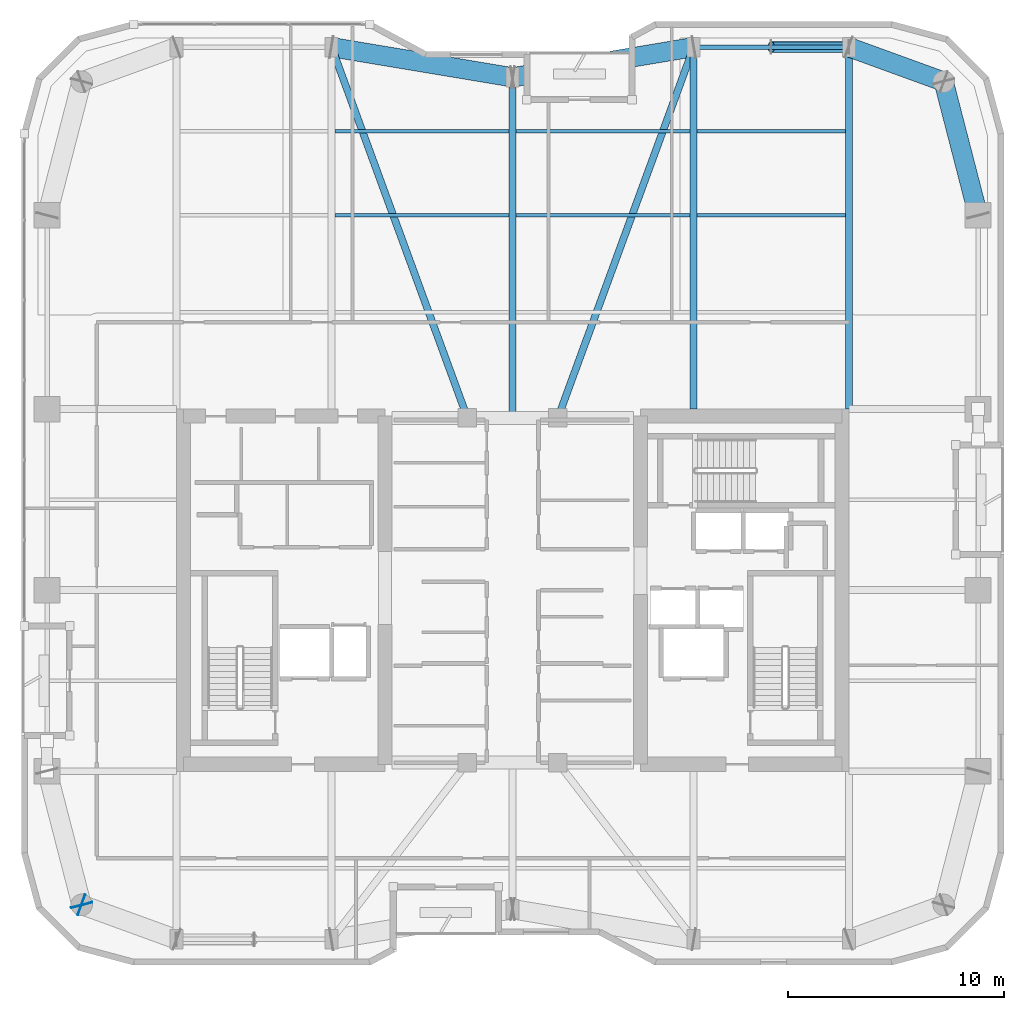
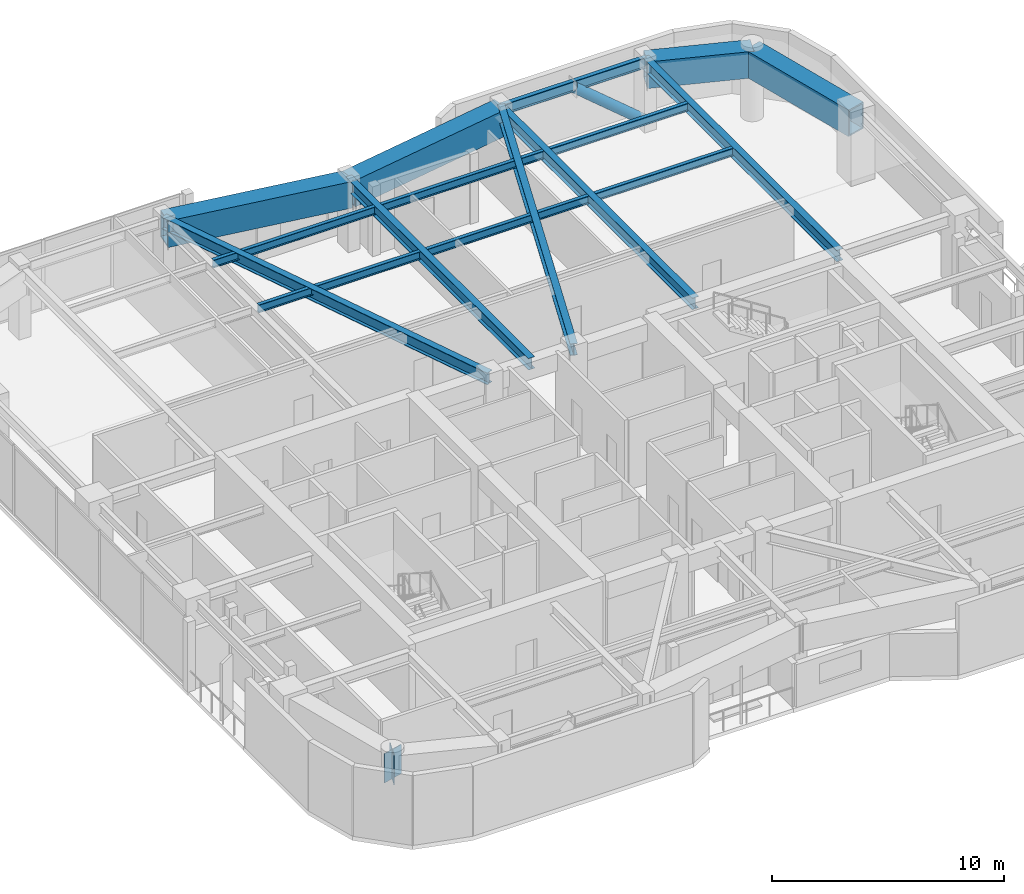
# One storey, part 11 of 21: 16 beams, 2 plates, 1 member.
"""IFC4 building model written with IfcOpenShell, lengths in metres."""

from ifc_helpers import new_model, si_unit, direction, frame, origin, origin_2d, place, context, subcontext, project, spatial, rectangle, hollow_rectangle, hollow_circle, i_section, extrude, material, layer, layer_set, material_profile, profile_set, type_object, element, save


model = new_model("IFC4")

# Units and contexts
model_context = context("Model", 3, precision=1e-05, world=origin(), true_north=direction((0.0, 1.0)))
body_context = subcontext(model_context, "Body", "Model", "MODEL_VIEW")
ifc_project = project(units=[si_unit("LENGTHUNIT", "METRE"), si_unit("AREAUNIT", "SQUARE_METRE"), si_unit("VOLUMEUNIT", "CUBIC_METRE"), si_unit("PLANEANGLEUNIT", "RADIAN"), si_unit("MASSUNIT", "GRAM", prefix="KILO")], contexts=[model_context])

# Site, building, storey
site_placement = place(None, origin())
site = spatial("IfcSite", under=ifc_project, at=site_placement, CompositionType="ELEMENT")
building_placement = place(site_placement, origin())
building = spatial("IfcBuilding", under=site, at=building_placement, Name="Kiyonajd Concourse Tower", CompositionType="ELEMENT")
storey_placement = place(building_placement, frame((0.0, 0.0, 223.199951171875)))
storey = spatial("IfcBuildingStorey", under=building, at=storey_placement, Name="L56", CompositionType="ELEMENT", Elevation=223.199951171875)

# Beams
ifc_material_1 = material(Name="Steel ASTM A992 Grade 50", Category="steel")
ifc_material_profile_1 = material_profile(ifc_material_1, i_section(OverallWidth=0.180908203125, OverallDepth=0.4169921875, WebThickness=0.010986328125, FlangeThickness=0.018310546875, at=origin_2d()), Name="W410X85")
ifc_profile_set_1 = profile_set([ifc_material_profile_1], Name="Steel ASTM A992 Grade 50")
beam_type_1 = type_object("IfcBeamType", Name="BM-JST-410", PredefinedType="JOIST", material=ifc_profile_set_1)
for number, where, z_axis, x_axis, name in (
    (1, (39.761962890625, 53.39990234375, 3.471435546875), (1.0, 0.0, 0.0), (0.0, 1.0, 0.0), "L56 Secondary Floor Joist"),
    (2, (48.162109375, 53.39990234375, 3.471435546875), (1.0, 0.0, 0.0), (0.0, 1.0, 0.0), "L56 Secondary Floor Joist"),
):
    element("IfcBeam", number, at=place(storey_placement, frame(where, z_axis=z_axis, x_axis=x_axis)), inside=storey, type_object=beam_type_1, Name=name, PredefinedType="JOIST", context=body_context, shape_type="SweptSolid", body=[
        extrude(i_section(OverallWidth=0.180908203125, OverallDepth=0.4169921875, WebThickness=0.010986328125, FlangeThickness=0.018310546875, at=origin_2d()), origin(), (0.0, 0.0, 1.0), 8.075927734375),
    ])
beam_1_placement = place(storey_placement, frame((56.56201171875, 53.39990234375, 3.471435546875), z_axis=(1.0, 0.0, 0.0), x_axis=(0.0, 1.0, 0.0)))
element("IfcBeam", 3, at=beam_1_placement, inside=storey, type_object=beam_type_1, Name="L56 Secondary Floor Joist", PredefinedType="JOIST", context=body_context, shape_type="SweptSolid", body=[
    extrude(i_section(OverallWidth=0.180908203125, OverallDepth=0.4169921875, WebThickness=0.010986328125, FlangeThickness=0.018310546875, at=origin_2d()), origin(), (0.0, 0.0, 1.0), 6.8759765625),
])
for number, where, z_axis, x_axis, name in (
    (4, (39.761962890625, 57.300048828125, 3.471435546875), (1.0, 0.0, 0.0), (0.0, 1.0, 0.0), "L56 Secondary Floor Joist"),
    (5, (48.162109375, 57.300048828125, 3.471435546875), (1.0, 0.0, 0.0), (0.0, 1.0, 0.0), "L56 Secondary Floor Joist"),
):
    element("IfcBeam", number, at=place(storey_placement, frame(where, z_axis=z_axis, x_axis=x_axis)), inside=storey, type_object=beam_type_1, Name=name, PredefinedType="JOIST", context=body_context, shape_type="SweptSolid", body=[
        extrude(i_section(OverallWidth=0.180908203125, OverallDepth=0.4169921875, WebThickness=0.010986328125, FlangeThickness=0.018310546875, at=origin_2d()), origin(), (0.0, 0.0, 1.0), 8.075927734375),
    ])
beam_2_placement = place(storey_placement, frame((56.56201171875, 57.300048828125, 3.471435546875), z_axis=(1.0, 0.0, 0.0), x_axis=(0.0, 1.0, 0.0)))
element("IfcBeam", 6, at=beam_2_placement, inside=storey, type_object=beam_type_1, Name="L56 Secondary Floor Joist", PredefinedType="JOIST", context=body_context, shape_type="SweptSolid", body=[
    extrude(i_section(OverallWidth=0.180908203125, OverallDepth=0.4169921875, WebThickness=0.010986328125, FlangeThickness=0.018310546875, at=origin_2d()), origin(), (0.0, 0.0, 1.0), 6.8759765625),
])
ifc_material_profile_2 = material_profile(ifc_material_1, i_section(OverallWidth=0.214111328125, OverallDepth=0.549072265625, WebThickness=0.0146484375, FlangeThickness=0.023681640625, at=origin_2d()), Name="W530X138")
ifc_profile_set_2 = profile_set([ifc_material_profile_2], Name="Steel ASTM A992 Grade 50")
beam_type_2 = type_object("IfcBeamType", Name="BM-SPAN-530A", PredefinedType="SPANDREL", material=ifc_profile_set_2)
beam_3_placement = place(storey_placement, frame((63.60009765625, 61.199951171875, 3.405517578125), z_axis=(-1.0, 0.0, 0.0), x_axis=(0.0, -1.0, 0.0)))
element("IfcBeam", 7, at=beam_3_placement, inside=storey, type_object=beam_type_2, Name="L56 Perimeter Bundled Tube Spandrel", PredefinedType="SPANDREL", context=body_context, shape_type="SweptSolid", body=[
    extrude(i_section(OverallWidth=0.214111328125, OverallDepth=0.549072265625, WebThickness=0.0146484375, FlangeThickness=0.023681640625, at=origin_2d()), origin(), (0.0, 0.0, 1.0), 7.2001953125),
])
ifc_material_profile_3 = material_profile(ifc_material_1, i_section(OverallWidth=0.326904296875, OverallDepth=0.6220703125, WebThickness=0.015380859375, FlangeThickness=0.0244140625, at=origin_2d()), Name="W610X195")
ifc_profile_set_3 = profile_set([ifc_material_profile_3], Name="Steel ASTM A992 Grade 50")
beam_type_3 = type_object("IfcBeamType", Name="BM-TWR-610A", PredefinedType="BEAM", material=ifc_profile_set_3)
for number, where, z_axis, x_axis, name in (
    (8, (39.60009765625, 61.199951171875, 3.369140625), (0.343925269715, -0.938997022813, 0.0), (0.938997022813, 0.343925269715, 0.0), "L56 Core Tie Girder"),
    (9, (50.10009765625, 44.0, 3.369140625), (0.343925269715, 0.938997022813, 0.0), (-0.938997022813, 0.343925269715, 0.0), "L56 Core Tie Girder"),
):
    element("IfcBeam", number, at=place(storey_placement, frame(where, z_axis=z_axis, x_axis=x_axis)), inside=storey, type_object=beam_type_3, Name=name, PredefinedType="BEAM", context=body_context, shape_type="SweptSolid", body=[
        extrude(i_section(OverallWidth=0.326904296875, OverallDepth=0.6220703125, WebThickness=0.015380859375, FlangeThickness=0.0244140625, at=origin_2d()), origin(), (0.0, 0.0, 1.0), 18.3173828125),
    ])
ifc_material_profile_4 = material_profile(ifc_material_1, i_section(OverallWidth=0.323974609375, OverallDepth=0.611083984375, WebThickness=0.0126953125, FlangeThickness=0.01904296875, at=origin_2d()), Name="W610X155")
ifc_profile_set_4 = profile_set([ifc_material_profile_4], Name="Steel ASTM A992 Grade 50")
beam_type_4 = type_object("IfcBeamType", Name="BM-TWR-610B", PredefinedType="BEAM", material=ifc_profile_set_4)
for number, where, z_axis, x_axis, name in (
    (10, (56.39990234375, 44.39990234375, 3.37451171875), (0.0, 1.0, 0.0), (-1.0, 0.0, 0.0), "L56 North Lease Girder"),
    (11, (63.60009765625, 44.39990234375, 3.37451171875), (0.0, 1.0, 0.0), (-1.0, 0.0, 0.0), "L56 North Lease Girder"),
):
    element("IfcBeam", number, at=place(storey_placement, frame(where, z_axis=z_axis, x_axis=x_axis)), inside=storey, type_object=beam_type_4, Name=name, PredefinedType="BEAM", context=body_context, shape_type="SweptSolid", body=[
        extrude(i_section(OverallWidth=0.323974609375, OverallDepth=0.611083984375, WebThickness=0.0126953125, FlangeThickness=0.01904296875, at=origin_2d()), origin(), (0.0, 0.0, 1.0), 16.800048828125),
    ])
beam_4_placement = place(storey_placement, frame((48.0, 44.0, 3.37451171875), z_axis=(0.0, 1.0, 0.0), x_axis=(-1.0, 0.0, 0.0)))
element("IfcBeam", 12, at=beam_4_placement, inside=storey, type_object=beam_type_4, Name="L56 North Ribbon Girder", PredefinedType="BEAM", context=body_context, shape_type="SweptSolid", body=[
    extrude(i_section(OverallWidth=0.323974609375, OverallDepth=0.611083984375, WebThickness=0.0126953125, FlangeThickness=0.01904296875, at=origin_2d()), origin(), (0.0, 0.0, 1.0), 15.800048828125),
])
ifc_material_2 = material(Name="Steel ASTM A572 Grade 50", Category="steel")
ifc_material_profile_5 = material_profile(ifc_material_2, hollow_rectangle(XDim=0.89990234375, YDim=1.39990234375, WallThickness=0.070068359375, at=origin_2d()), Name="BOX-1400x900x70")
ifc_profile_set_5 = profile_set([ifc_material_profile_5], Name="Steel ASTM A572 Grade 50")
beam_type_5 = type_object("IfcBeamType", Name="BM-XFER-1400", PredefinedType="BEAM", material=ifc_profile_set_5)
beam_5_placement = place(storey_placement, frame((69.60009765625, 53.39990234375, 2.97998046875), z_axis=(-0.249884937687, 0.968275538221, 0.0), x_axis=(-0.968275538221, -0.249884937687, 0.0)))
element("IfcBeam", 13, at=beam_5_placement, inside=storey, type_object=beam_type_5, Name="L56 Perimeter Bundled Tube Spandrel", PredefinedType="BEAM", context=body_context, shape_type="SweptSolid", body=[
    extrude(hollow_rectangle(XDim=0.89990234375, YDim=1.39990234375, WallThickness=0.070068359375, at=origin_2d()), origin(), (0.0, 0.0, 1.0), 6.4033203125),
])
beam_6_placement = place(storey_placement, frame((68.0, 59.60009765625, 2.97998046875), z_axis=(-0.939801036019, 0.341722127901, 0.0), x_axis=(-0.341722127901, -0.939801036019, 0.0)))
element("IfcBeam", 14, at=beam_6_placement, inside=storey, type_object=beam_type_5, Name="L56 Perimeter Bundled Tube Spandrel", PredefinedType="BEAM", context=body_context, shape_type="SweptSolid", body=[
    extrude(hollow_rectangle(XDim=0.89990234375, YDim=1.39990234375, WallThickness=0.070068359375, at=origin_2d()), origin(), (0.0, 0.0, 1.0), 4.681640625),
])
for number, where, z_axis, x_axis, name in (
    (15, (56.39990234375, 61.199951171875, 2.97998046875), (-0.986395473479, -0.164389689151, 0.0), (0.164389689151, -0.986395473479, 0.0), "L56 Perimeter Bundled Tube Spandrel"),
    (16, (48.0, 59.800048828125, 2.97998046875), (-0.986395473479, 0.164389689151, 0.0), (-0.164389689151, -0.986395473479, 0.0), "L56 Perimeter Bundled Tube Spandrel"),
):
    element("IfcBeam", number, at=place(storey_placement, frame(where, z_axis=z_axis, x_axis=x_axis)), inside=storey, type_object=beam_type_5, Name=name, PredefinedType="BEAM", context=body_context, shape_type="SweptSolid", body=[
        extrude(hollow_rectangle(XDim=0.89990234375, YDim=1.39990234375, WallThickness=0.070068359375, at=origin_2d()), origin(), (0.0, 0.0, 1.0), 8.515869140625),
    ])

# Member
ifc_material_3 = material(Name="Steel ASTM A500 Grade C", Category="steel")
ifc_material_profile_6 = material_profile(ifc_material_3, hollow_circle(Radius=0.25390625, WallThickness=0.02197265625, at=origin_2d()), Name="CHS-508x22")
ifc_profile_set_6 = profile_set([ifc_material_profile_6], Name="Steel ASTM A500 Grade C")
member_type = type_object("IfcMemberType", Name="MB-PB-MID", PredefinedType="BRACE", material=ifc_profile_set_6)
member_placement = place(storey_placement, frame((63.60009765625, 61.199951171875, 0.300048828125), z_axis=(-0.765082043761, 0.0, 0.643932811957), x_axis=(0.0, -1.0, 0.0)))
element("IfcMember", 17, at=member_placement, inside=storey, type_object=member_type, Name="L56 Upper Zone Hollow Tube Brace PBN", PredefinedType="BRACE", context=body_context, shape_type="SweptSolid", body=[
    extrude(hollow_circle(Radius=0.25390625, WallThickness=0.02197265625, at=origin_2d()), origin(), (0.0, 0.0, 1.0), 4.70556640625),
])

# Plates
ifc_layer = layer(ifc_material_2, 0.031982421875)
ifc_layer_set = layer_set([ifc_layer], Name="Steel ASTM A572 Grade 50")
plate_type = type_object("IfcPlateType", Name="PL-CAP-540", PredefinedType="USERDEFINED", material=ifc_layer_set)
for number, where, z_axis, x_axis, name in (
    (18, (28.002685546875, 21.389404296875, 2.2099609375), (0.0, 0.0, 1.0), (0.249873048837, -0.968278606324, 0.0), "L56 Welded Box Girder End Cap"),
    (19, (27.98974609375, 21.40380859375, 2.2099609375), (0.0, 0.0, 1.0), (-0.939811951086, 0.341692107891, 0.0), "L56 Welded Box Girder End Cap"),
):
    element("IfcPlate", number, at=place(storey_placement, frame(where, z_axis=z_axis, x_axis=x_axis)), inside=storey, type_object=plate_type, Name=name, ObjectType="CAP PLATE", PredefinedType="USERDEFINED", context=body_context, shape_type="SweptSolid", body=[
        extrude(rectangle(XDim=0.035888671875, YDim=1.02001953125, at=origin_2d()), origin(), (0.0, 0.0, 1.0), 1.5400390625),
    ])

save(model, "model.ifc")
